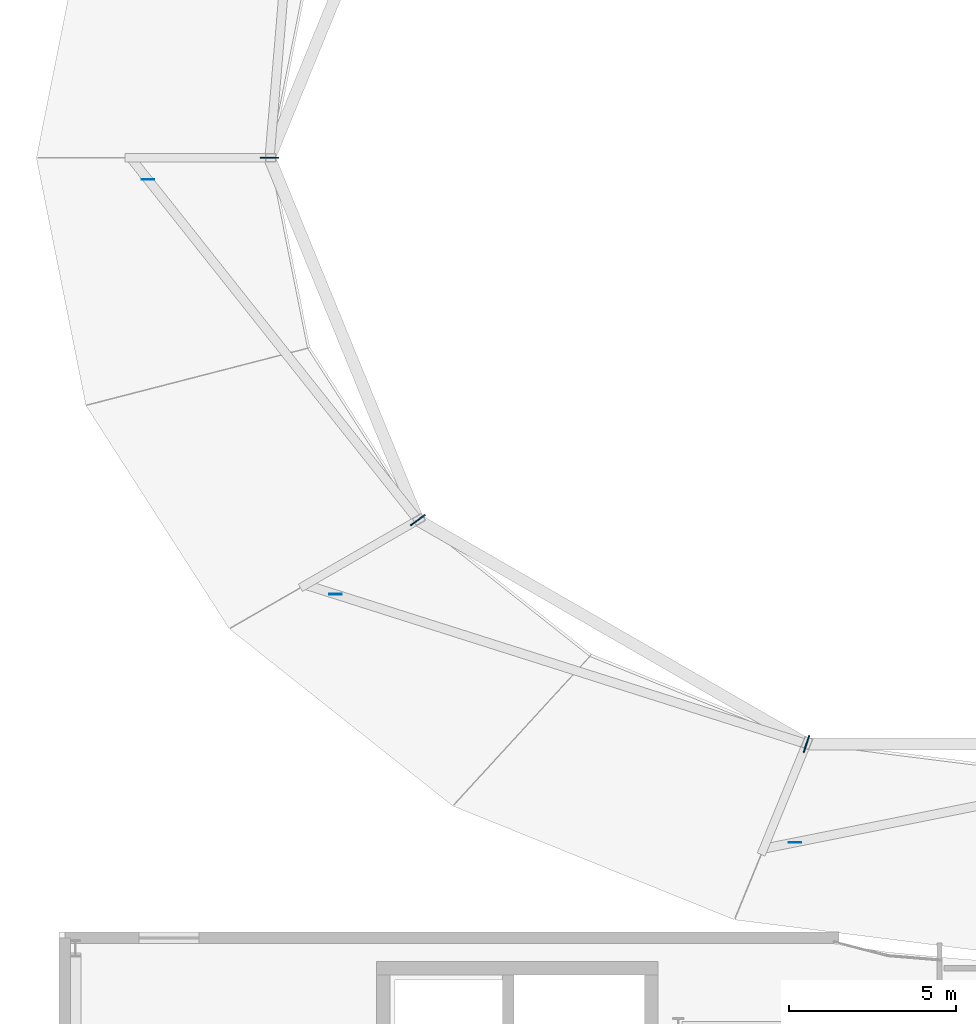
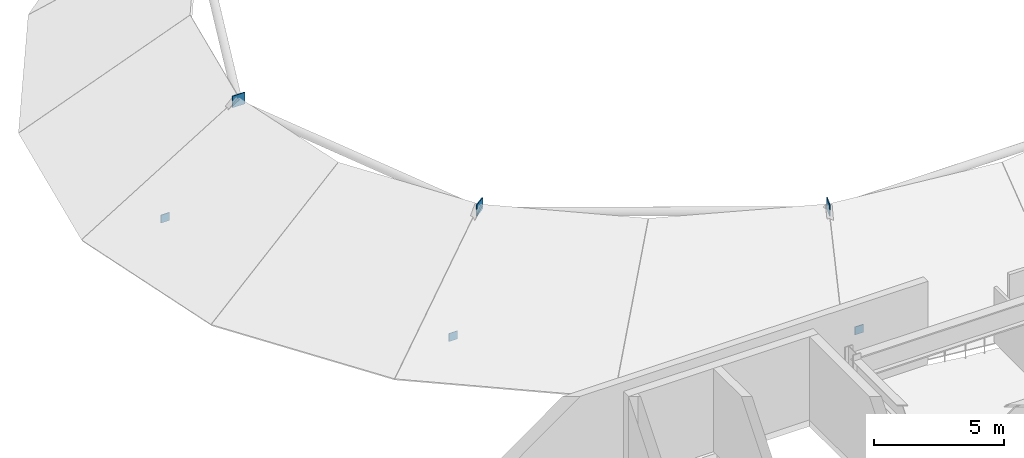
# One storey, part 30 of 59: 6 plates.
"""IFC4 building model written with IfcOpenShell, lengths in metres."""

import ifcopenshell
import ifcopenshell.guid

model = None  # the IFC model being written
_history = None  # IfcOwnerHistory: only IFC2X3 demands one
_inside = {}  # id of a spatial element -> (the spatial element, [elements in it])
_under = {}  # id of a project, library or spatial element -> (it, [spatial elements below it])
_declared = {}  # id of a project -> (the project, [libraries it declares])
_typed = {}  # id of a type object -> (the type object, [elements of that type])
_made_of = {}  # id of a material, layer set ... -> (it, [elements and type objects made of it])


def new_model(schema):
    """Start an empty IFC model of exactly this schema.

    Asked for "IFC4X3", IfcOpenShell would pick the latest addendum, in which some entities
    have other attributes; the version numbers below select the first issue.
    IFC2X3 requires an IfcOwnerHistory on every rooted entity: one is made here for all.
    """
    global model, _history
    if schema == "IFC4X3":
        model = ifcopenshell.file(schema_version=(4, 3, 0, 0))
    else:
        model = ifcopenshell.file(schema=schema)
    _inside.clear()
    _under.clear()
    _declared.clear()
    _typed.clear()
    _made_of.clear()
    _history = None
    if model.schema == "IFC2X3":
        org = make("IfcOrganization", Name="unknown")
        user = make(
            "IfcPersonAndOrganization",
            ThePerson=make("IfcPerson", FamilyName="unknown"),
            TheOrganization=org,
        )
        app = make(
            "IfcApplication",
            ApplicationDeveloper=org,
            Version="unknown",
            ApplicationFullName="unknown",
            ApplicationIdentifier="unknown",
        )
        _history = make(
            "IfcOwnerHistory",
            OwningUser=user,
            OwningApplication=app,
            ChangeAction="ADDED",
            CreationDate=0,
        )
    return model


def make(cls, **values):
    """One entity of the class cls with the attributes given. An attribute that is None is left unset."""
    return model.create_entity(
        cls, **{name: value for name, value in values.items() if value is not None}
    )


def rooted(cls, **values):
    """An entity with a GlobalId (a new one), such as an element, a storey or a relation."""
    return make(cls, GlobalId=ifcopenshell.guid.new(), OwnerHistory=_history, **values)


def si_unit(unit_type, name, prefix=None):
    """IfcSIUnit, for example si_unit("LENGTHUNIT", "METRE", prefix="MILLI")."""
    return make("IfcSIUnit", UnitType=unit_type, Prefix=prefix, Name=name)


def assignment(units):
    """IfcUnitAssignment: the units of a project."""
    return None if units is None else make("IfcUnitAssignment", Units=units)


def point(xyz):
    """IfcCartesianPoint."""
    return None if xyz is None else make("IfcCartesianPoint", Coordinates=xyz)


def direction(xyz):
    """IfcDirection."""
    return None if xyz is None else make("IfcDirection", DirectionRatios=xyz)


def frame(location, z_axis=None, x_axis=None):
    """IfcAxis2Placement3D, a coordinate frame: its origin and axes. An axis left out is left unset."""
    return make(
        "IfcAxis2Placement3D",
        Location=point(location),
        Axis=direction(z_axis),
        RefDirection=direction(x_axis),
    )


def frame_2d(location, x_axis=None):
    """IfcAxis2Placement2D, a coordinate frame in the plane: its origin and x axis."""
    return make(
        "IfcAxis2Placement2D", Location=point(location), RefDirection=direction(x_axis)
    )


def origin():
    """The frame at (0, 0, 0) with its axes left unset."""
    return frame((0.0, 0.0, 0.0))


def origin_2d():
    """The frame at (0, 0) in the plane with its x axis left unset."""
    return frame_2d((0.0, 0.0))


def place(relative_to, where):
    """IfcLocalPlacement: puts the frame where relative to a parent placement (None: the world)."""
    return make(
        "IfcLocalPlacement", PlacementRelTo=relative_to, RelativePlacement=where
    )


def context(
    kind, dimensions, precision=None, world=None, true_north=None, identifier=None
):
    """IfcGeometricRepresentationContext, for example the 3D "Model" context."""
    return make(
        "IfcGeometricRepresentationContext",
        ContextIdentifier=identifier,
        ContextType=kind,
        CoordinateSpaceDimension=dimensions,
        Precision=precision,
        WorldCoordinateSystem=world,
        TrueNorth=true_north,
    )


def subcontext(parent, identifier, kind, view, scale=None):
    """IfcGeometricRepresentationSubContext, for example "Body" below "Model"."""
    return make(
        "IfcGeometricRepresentationSubContext",
        ContextIdentifier=identifier,
        ContextType=kind,
        ParentContext=parent,
        TargetScale=scale,
        TargetView=view,
    )


def project(units=None, contexts=None):
    """IfcProject with its units and contexts."""
    return rooted(
        "IfcProject",
        Name="project",
        RepresentationContexts=contexts,
        UnitsInContext=assignment(units),
    )


def spatial(cls, under=None, at=None, **own):
    """A site, building, storey or space (cls), placed at a placement, below another one or the project."""
    s = rooted(cls, ObjectPlacement=at, **own)
    if under is not None:
        _under.setdefault(under.id(), (under, []))[1].append(s)
    return s


def profile(cls, at=None, kind="AREA", **sizes):
    """A parametric profile (cls). Its sizes go by their IFC names, for example OverallWidth=200.0."""
    return make(cls, ProfileType=kind, Position=at, **sizes)


def rectangle(**sizes):
    """IfcRectangleProfileDef."""
    return profile("IfcRectangleProfileDef", **sizes)


def extrude(swept, where, along, depth):
    """IfcExtrudedAreaSolid: the profile swept, set in the frame where, extruded along a direction by depth."""
    return make(
        "IfcExtrudedAreaSolid",
        SweptArea=swept,
        Position=where,
        ExtrudedDirection=direction(along),
        Depth=depth,
    )


def shape(context_of_items, identifier, shape_type, items):
    """IfcShapeRepresentation: the items that make up one representation, for example the "Body"."""
    return make(
        "IfcShapeRepresentation",
        ContextOfItems=context_of_items,
        RepresentationIdentifier=identifier,
        RepresentationType=shape_type,
        Items=items,
    )


def material(Name=None, Category=None):
    """IfcMaterial."""
    return make("IfcMaterial", Name=Name, Category=Category)


def layer(
    of_material, thickness, ventilated=None, Name=None, Category=None, Priority=None
):
    """IfcMaterialLayer: one layer of a wall or slab, of a material (None: an air gap)."""
    return make(
        "IfcMaterialLayer",
        Material=of_material,
        LayerThickness=thickness,
        IsVentilated=ventilated,
        Name=Name,
        Category=Category,
        Priority=Priority,
    )


def layer_set(layers, Name=None):
    """IfcMaterialLayerSet."""
    return make("IfcMaterialLayerSet", MaterialLayers=layers, LayerSetName=Name)


def made_of(thing, what):
    """Note that an element or type object is made of a material, layer set ...; save() writes the relation."""
    if what is not None:
        _made_of.setdefault(what.id(), (what, []))[1].append(thing)
    return thing


def type_object(cls, material=None, **own):
    """A type object (cls), such as IfcWallType, which elements share."""
    return made_of(rooted(cls, **own), material)


def element(
    cls,
    number,
    at=None,
    inside=None,
    cuts=None,
    type_object=None,
    material=None,
    context=None,
    identifier="Body",
    shape_type=None,
    held_by="IfcProductDefinitionShape",
    body=None,
    shapes=None,
    **own,
):
    """One element of the class cls, such as IfcWall. Its Tag is "e" and its number.

    at: its placement. inside: the storey or other place that contains it. cuts: it is an
    opening in that element (IfcRelVoidsElement). A single representation is given by context,
    identifier, shape_type and body (its items); several are given by shapes. held_by: the class
    of the entity that holds the representations. save() writes the other relations.
    """
    e = rooted(cls, Tag="e%d" % number, ObjectPlacement=at, **own)
    if body is not None:
        shapes = [shape(context, identifier, shape_type, body)]
    if shapes is not None:
        e.Representation = make(held_by, Representations=shapes)
    if inside is not None:
        _inside.setdefault(inside.id(), (inside, []))[1].append(e)
    if cuts is not None:
        rooted(
            "IfcRelVoidsElement", RelatingBuildingElement=cuts, RelatedOpeningElement=e
        )
    if type_object is not None:
        _typed.setdefault(type_object.id(), (type_object, []))[1].append(e)
    return made_of(e, material)


def aggregate(whole, parts):
    """IfcRelAggregates: a whole, such as a stair, and the parts it consists of."""
    return rooted("IfcRelAggregates", RelatingObject=whole, RelatedObjects=parts)


def save(model, path):
    """Write the relations noted so far, then the file.

    IfcRelAggregates (storeys below a building ...), IfcRelContainedInSpatialStructure (elements
    in a storey), IfcRelDefinesByType, IfcRelAssociatesMaterial and IfcRelDeclares: one each for
    every whole, place, type object, material and project.
    """
    for whole, parts in _under.values():
        aggregate(whole, parts)
    for where, things in _inside.values():
        rooted(
            "IfcRelContainedInSpatialStructure",
            RelatedElements=things,
            RelatingStructure=where,
        )
    for kind, things in _typed.values():
        rooted("IfcRelDefinesByType", RelatedObjects=things, RelatingType=kind)
    for what, things in _made_of.values():
        rooted("IfcRelAssociatesMaterial", RelatedObjects=things, RelatingMaterial=what)
    for by, libraries in _declared.values():
        rooted("IfcRelDeclares", RelatingContext=by, RelatedDefinitions=libraries)
    model.write(path)


model = new_model("IFC4")

# Units and contexts
model_context = context("Model", 3, precision=1e-05, world=origin(), true_north=direction((0.0, 1.0)))
body_context = subcontext(model_context, "Body", "Model", "MODEL_VIEW")
ifc_project = project(units=[si_unit("LENGTHUNIT", "METRE"), si_unit("AREAUNIT", "SQUARE_METRE"), si_unit("VOLUMEUNIT", "CUBIC_METRE"), si_unit("PLANEANGLEUNIT", "RADIAN"), si_unit("MASSUNIT", "GRAM", prefix="KILO")], contexts=[model_context])

# Site, building, storey
site_placement = place(None, origin())
site = spatial("IfcSite", under=ifc_project, at=site_placement, CompositionType="ELEMENT")
building_placement = place(site_placement, origin())
building = spatial("IfcBuilding", under=site, at=building_placement, Name="Sollismere Congress Hotel", CompositionType="ELEMENT")
storey_placement = place(building_placement, frame((0.0, 0.0, 15.60009765625)))
storey = spatial("IfcBuildingStorey", under=building, at=storey_placement, Name="L03", CompositionType="ELEMENT", Elevation=15.60009765625)

# Plates
ifc_material = material(Name="Steel ASTM A572 Grade 50", Category="steel")
ifc_layer_1 = layer(ifc_material, 0.02490234375, Name="Steel ASTM A572 Grade 50")
ifc_layer_set_1 = layer_set([ifc_layer_1], Name="Steel ASTM A572 Grade 50")
plate_type_1 = type_object("IfcPlateType", Name="PL-GS25", PredefinedType="USERDEFINED", material=ifc_layer_set_1)
for number, where, z_axis, x_axis, name in (
    (1, (2.167724609375, 89.751220703125, 0.075927734375), (0.0, 0.0, 1.0), (1.0, 0.0, 0.0), "PLT-GDB0-06"),
    (2, (7.773193359375, 77.366455078125, 0.075927734375), (0.0, 0.0, 1.0), (1.0, 0.0, 0.0), "PLT-GDB0-07"),
    (3, (21.486572265625, 69.960205078125, 0.075927734375), (0.0, 0.0, 1.0), (1.0, 0.0, 0.0), "PLT-GDB0-08"),
):
    element("IfcPlate", number, at=place(storey_placement, frame(where, z_axis=z_axis, x_axis=x_axis)), inside=storey, type_object=plate_type_1, Name=name, ObjectType="GUSSET PLATE", PredefinedType="USERDEFINED", context=body_context, shape_type="SweptSolid", body=[
        extrude(rectangle(XDim=0.3798828125, YDim=0.02490234375, at=origin_2d()), origin(), (0.0, 0.0, 1.0), 0.3798828125),
    ])
ifc_layer_2 = layer(ifc_material, 0.0400390625, Name="Steel ASTM A572 Grade 50")
ifc_layer_set_2 = layer_set([ifc_layer_2], Name="Steel ASTM A572 Grade 50")
plate_type_2 = type_object("IfcPlateType", Name="PL-GS40", PredefinedType="USERDEFINED", material=ifc_layer_set_2)
for number, where, z_axis, x_axis, name in (
    (4, (5.800048828125, 90.39990234375, 3.849853515625), (0.0, 0.0, 1.0), (-1.0, 0.0, 0.0), "Dome ring gusset plate 1-06"),
    (5, (10.230712890625, 79.584716796875, 3.849853515625), (0.0, 0.0, 1.0), (-0.809016994375, -0.587785252292, 0.0), "Dome ring gusset plate 1-07"),
    (6, (21.830810546875, 72.900634765625, 3.849853515625), (0.0, 0.0, 1.0), (-0.309016994375, -0.951056516295, 0.0), "Dome ring gusset plate 1-08"),
):
    element("IfcPlate", number, at=place(storey_placement, frame(where, z_axis=z_axis, x_axis=x_axis)), inside=storey, type_object=plate_type_2, Name=name, ObjectType="GUSSET PLATE", PredefinedType="USERDEFINED", context=body_context, shape_type="SweptSolid", body=[
        extrude(rectangle(XDim=0.5400390625, YDim=0.0400390625, at=origin_2d()), origin(), (0.0, 0.0, 1.0), 0.5400390625),
    ])

save(model, "model.ifc")
